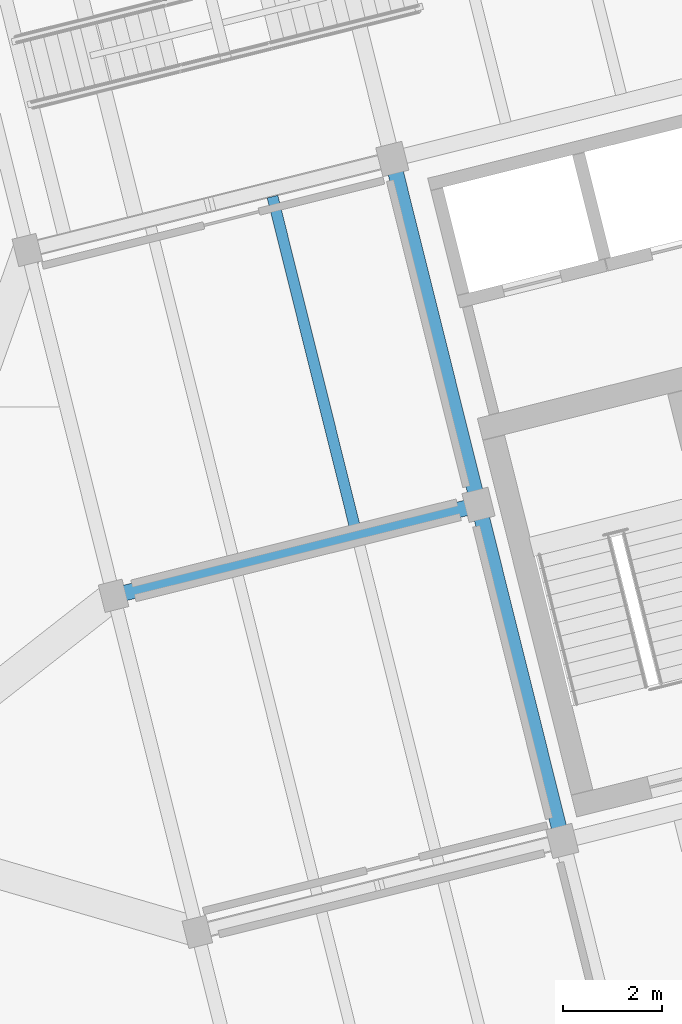
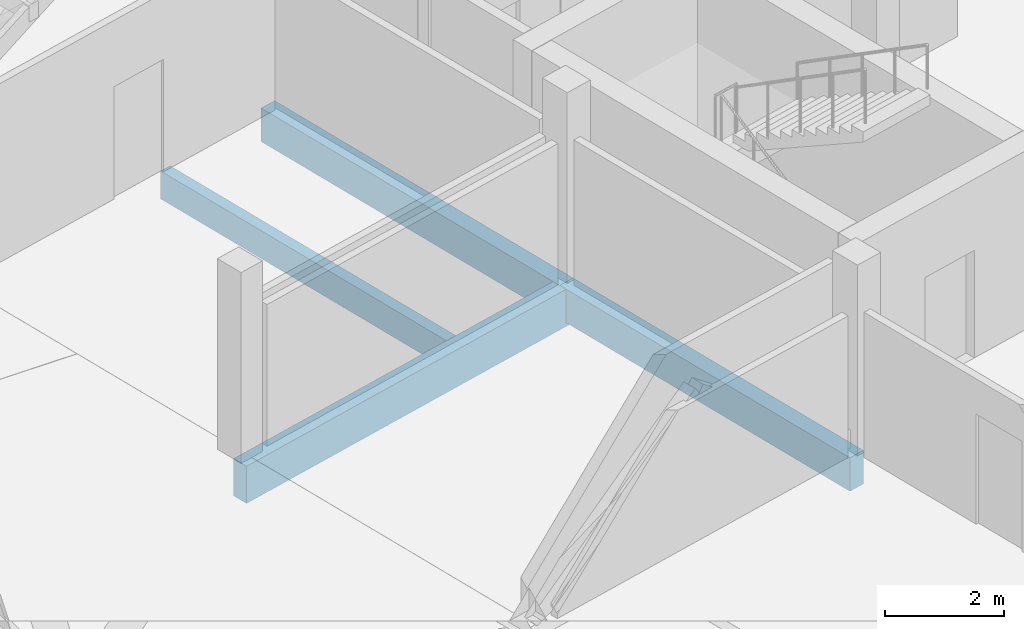
# One storey, part 21 of 62: 4 beams.
"""IFC4 building model written with IfcOpenShell, lengths in metres."""

from ifc_helpers import new_model, si_unit, direction, frame, origin, origin_2d, place, context, subcontext, project, spatial, rectangle, extrude, material, material_profile, profile_set, type_object, element, save


model = new_model("IFC4")

# Units and contexts
model_context = context("Model", 3, precision=1e-05, world=origin(), true_north=direction((0.0, 1.0)))
body_context = subcontext(model_context, "Body", "Model", "MODEL_VIEW")
ifc_project = project(units=[si_unit("LENGTHUNIT", "METRE"), si_unit("AREAUNIT", "SQUARE_METRE"), si_unit("VOLUMEUNIT", "CUBIC_METRE"), si_unit("PLANEANGLEUNIT", "RADIAN"), si_unit("MASSUNIT", "GRAM", prefix="KILO")], contexts=[model_context])

# Site, building, storey
site_placement = place(None, origin())
site = spatial("IfcSite", under=ifc_project, at=site_placement, CompositionType="ELEMENT")
building_placement = place(site_placement, origin())
building = spatial("IfcBuilding", under=site, at=building_placement, Name="Meriwether Solvik Hall", CompositionType="ELEMENT")
storey_placement = place(building_placement, frame((0.0, 0.0, 14.39990234375)))
storey = spatial("IfcBuildingStorey", under=building, at=storey_placement, Name="L03", CompositionType="ELEMENT", Elevation=14.39990234375)

# Beams
ifc_material_1 = material(Name="Glulam Douglas-Fir 24F-V8 GL28h", Category="wood")
ifc_material_profile_1 = material_profile(ifc_material_1, rectangle(XDim=0.31494140625, YDim=0.68505859375, at=origin_2d()), Name="GLB-315X685")
ifc_profile_set_1 = profile_set([ifc_material_profile_1], Name="Glulam Douglas-Fir 24F-V8 GL28h")
beam_type_1 = type_object("IfcBeamType", Name="BM-GL-315X685", PredefinedType="BEAM", material=ifc_profile_set_1)
beam_1_placement = place(storey_placement, frame((74.3291015625, 49.63671875, -0.58740234375), z_axis=(-0.241911879182, 0.970298223594, 0.0), x_axis=(-0.970298223594, -0.241911879182, 0.0)))
element("IfcBeam", 1, at=beam_1_placement, inside=storey, type_object=beam_type_1, Name="Tower Girder T2:TB-TC (L03)", PredefinedType="BEAM", context=body_context, shape_type="SweptSolid", body=[
    extrude(rectangle(XDim=0.31494140625, YDim=0.68505859375, at=origin_2d()), origin(), (0.0, 0.0, 1.0), 7.0),
])
beam_2_placement = place(storey_placement, frame((72.6357421875, 56.4287109375, -0.58740234375), z_axis=(-0.241937193493, 0.970291911955, 0.0), x_axis=(-0.970291911955, -0.241937193493, 0.0)))
element("IfcBeam", 2, at=beam_2_placement, inside=storey, type_object=beam_type_1, Name="Tower Girder T2:TC-TD (L03)", PredefinedType="BEAM", context=body_context, shape_type="SweptSolid", body=[
    extrude(rectangle(XDim=0.31494140625, YDim=0.68505859375, at=origin_2d()), origin(), (0.0, 0.0, 1.0), 7.199951171875),
])
ifc_material_2 = material(Name="Glulam Douglas-Fir 24F-V8 GL28h", Category="wood")
ifc_material_profile_2 = material_profile(ifc_material_2, rectangle(XDim=0.31494140625, YDim=0.760009765625, at=origin_2d()), Name="GLB-315X760")
ifc_profile_set_2 = profile_set([ifc_material_profile_2], Name="Glulam Douglas-Fir 24F-V8 GL28h")
beam_type_2 = type_object("IfcBeamType", Name="BM-GL-315X760", PredefinedType="BEAM", material=ifc_profile_set_2)
beam_3_placement = place(storey_placement, frame((65.261474609375, 54.590087890625, -0.625), z_axis=(0.970295366785, 0.241923337436, 0.0), x_axis=(-0.241923337436, 0.970295366785, 0.0)))
element("IfcBeam", 3, at=beam_3_placement, inside=storey, type_object=beam_type_2, Name="Tower Girder TC:T1-T2 (L03)", PredefinedType="BEAM", context=body_context, shape_type="SweptSolid", body=[
    extrude(rectangle(XDim=0.31494140625, YDim=0.760009765625, at=origin_2d()), origin(), (0.0, 0.0, 1.0), 7.60009765625),
])
ifc_material_3 = material(Name="Glulam Douglas-Fir 24F-V8 GL28h", Category="wood")
ifc_material_profile_3 = material_profile(ifc_material_3, rectangle(XDim=0.221923828125, YDim=0.570068359375, at=origin_2d()), Name="GLJ-222X570")
ifc_profile_set_3 = profile_set([ifc_material_profile_3], Name="Glulam Douglas-Fir 24F-V8 GL28h")
beam_type_3 = type_object("IfcBeamType", Name="JST-GL-222X570", PredefinedType="JOIST", material=ifc_profile_set_3)
beam_4_placement = place(storey_placement, frame((70.140869140625, 55.9638671875, -0.52978515625), z_axis=(-0.241944055158, 0.970290201009, 0.0), x_axis=(-0.970290201009, -0.241944055158, 0.0)))
element("IfcBeam", 4, at=beam_4_placement, inside=storey, type_object=beam_type_3, Name="Glulam Floor Joist T1/TC-J2 (L03)", PredefinedType="JOIST", context=body_context, shape_type="SweptSolid", body=[
    extrude(rectangle(XDim=0.221923828125, YDim=0.570068359375, at=origin_2d()), origin(), (0.0, 0.0, 1.0), 6.89501953125),
])

save(model, "model.ifc")
